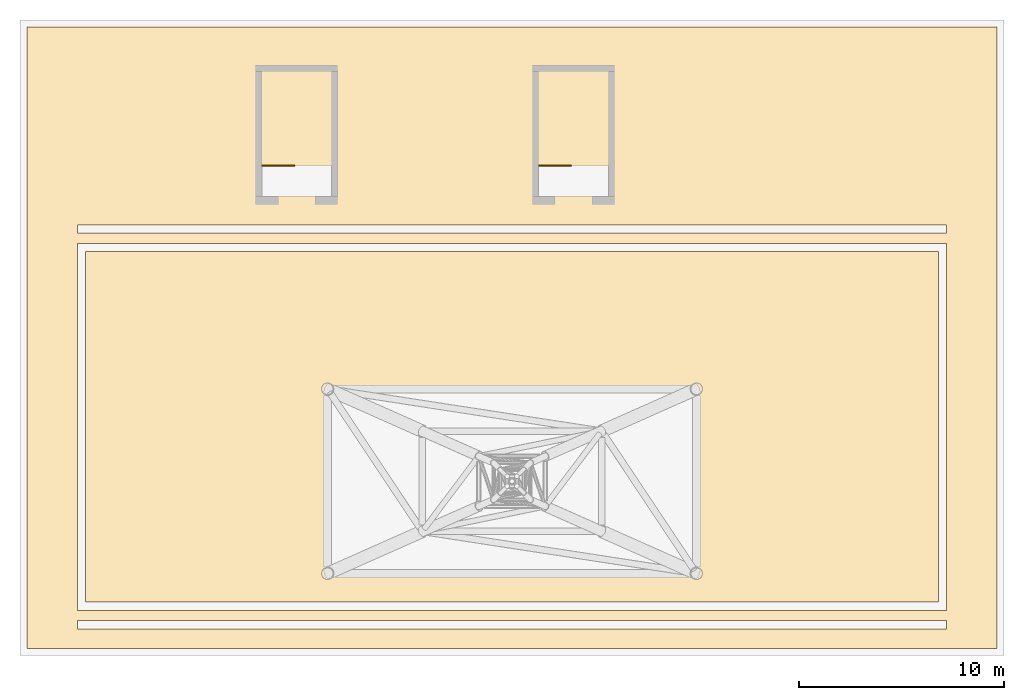
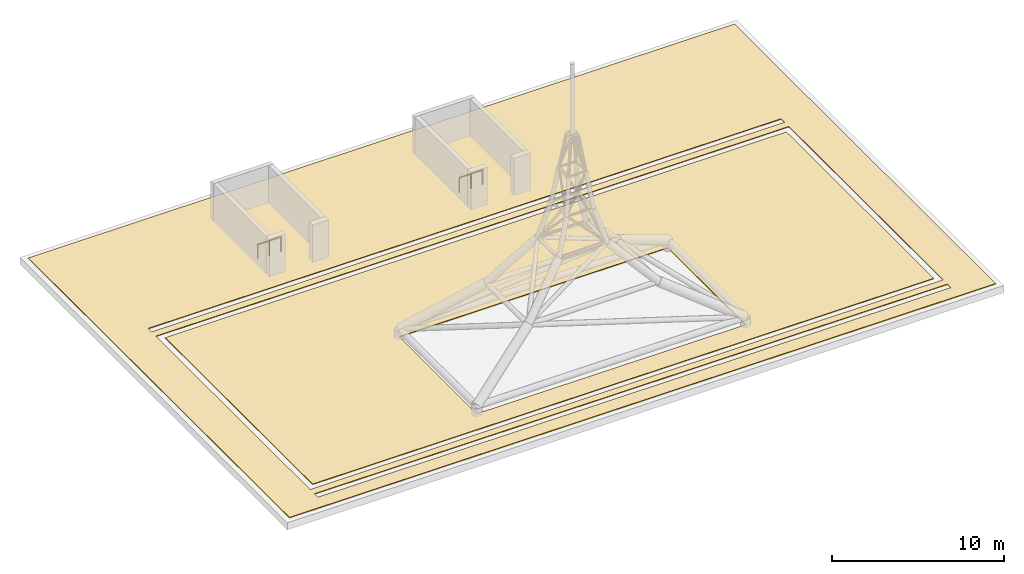
# One storey, part 4 of 4: 2 coverings, 2 railings.
"""IFC4 building model written with IfcOpenShell, lengths in metres."""

from ifc_helpers import new_model, si_unit, direction, frame, origin, origin_2d, place, context, subcontext, project, spatial, polyline, circle, outline, extrude, material, layer, layer_set, type_object, element, save


model = new_model("IFC4")

# Units and contexts
model_context = context("Model", 3, precision=1e-05, world=origin(), true_north=direction((0.0, 1.0)))
body_context = subcontext(model_context, "Body", "Model", "MODEL_VIEW")
ifc_project = project(units=[si_unit("LENGTHUNIT", "METRE"), si_unit("AREAUNIT", "SQUARE_METRE"), si_unit("VOLUMEUNIT", "CUBIC_METRE"), si_unit("PLANEANGLEUNIT", "RADIAN"), si_unit("MASSUNIT", "GRAM", prefix="KILO")], contexts=[model_context])

# Site, building, storey
site_placement = place(None, origin())
site = spatial("IfcSite", under=ifc_project, at=site_placement, CompositionType="ELEMENT")
building_placement = place(site_placement, origin())
building = spatial("IfcBuilding", under=site, at=building_placement, Name="Calvaro Tower", CompositionType="ELEMENT")
storey_placement = place(building_placement, frame((0.0, 0.0, 277.949951171875)))
storey = spatial("IfcBuildingStorey", under=building, at=storey_placement, Name="ROOF", CompositionType="ELEMENT", Elevation=277.949951171875)

# Coverings
ifc_material_1 = material(Name="Single ply membrane")
ifc_layer = layer(ifc_material_1, 0.050048828125)
ifc_layer_set = layer_set([ifc_layer], Name="Single ply membrane")
covering_type = type_object("IfcCoveringType", Name="Drum roofing 50", PredefinedType="ROOFING", material=ifc_layer_set)
covering_1_placement = place(storey_placement, origin())
element("IfcCovering", 1, at=covering_1_placement, inside=storey, type_object=covering_type, Name="Drum roofing", PredefinedType="ROOFING", context=body_context, shape_type="SweptSolid", body=[
    extrude(outline(polyline([(59.64990234375, 36.64990234375), (59.64990234375, 6.35009765625), (12.35009765625, 6.35009765625), (12.35009765625, 36.64990234375), (59.64990234375, 36.64990234375)]), holes=[polyline([(14.800048828125, 7.699951171875), (14.800048828125, 7.300048828125), (57.199951171875, 7.300048828125), (57.199951171875, 7.699951171875), (14.800048828125, 7.699951171875)]), polyline([(57.199951171875, 8.35009765625), (57.199951171875, 8.60009765625), (57.199951171875, 25.699951171875), (57.199951171875, 25.949951171875), (57.199951171875, 26.10009765625), (14.800048828125, 26.10009765625), (14.800048828125, 25.949951171875), (14.800048828125, 25.699951171875), (14.800048828125, 8.60009765625), (14.800048828125, 8.35009765625), (14.800048828125, 8.199951171875), (57.199951171875, 8.199951171875), (57.199951171875, 8.35009765625)]), polyline([(57.199951171875, 26.60009765625), (57.199951171875, 27.0), (14.800048828125, 27.0), (14.800048828125, 26.60009765625), (57.199951171875, 26.60009765625)])]), origin(), (0.0, 0.0, 1.0), 0.050048828125),
])
covering_2_placement = place(storey_placement, origin())
element("IfcCovering", 2, at=covering_2_placement, inside=storey, type_object=covering_type, Name="Drum roofing", PredefinedType="ROOFING", context=body_context, shape_type="SweptSolid", body=[
    extrude(outline(polyline([(15.199951171875, 8.60009765625), (15.199951171875, 25.699951171875), (56.800048828125, 25.699951171875), (56.800048828125, 8.60009765625), (15.199951171875, 8.60009765625)]), holes=[polyline([(27.0, 19.0), (27.0, 10.0), (45.0, 10.0), (45.0, 19.0), (27.0, 19.0)])]), origin(), (0.0, 0.0, 1.0), 0.050048828125),
])

# Railings
ifc_material_2 = material(Name="Stainless steel", Category="steel")
railing_type = type_object("IfcRailingType", Name="Stair top guard", PredefinedType="GUARDRAIL", material=ifc_material_2)
for number, where, name in (
    (3, (23.800048828125, 29.89990234375, 0.0), "Exit stair 2 head guard"),
    (4, (37.300048828125, 29.89990234375, 0.0), "Exit stair 3 head guard"),
):
    element("IfcRailing", number, at=place(storey_placement, frame(where)), inside=storey, type_object=railing_type, Name=name, PredefinedType="GUARDRAIL", context=body_context, shape_type="SweptSolid", body=[
        extrude(circle(Radius=0.02392578125, at=origin_2d()), frame((0.0, 0.0, 1.076171875), z_axis=(1.0, 0.0, 0.0), x_axis=(0.0, 1.0, 0.0)), (0.0, 0.0, 1.0), 1.599853515625),
        extrude(circle(Radius=0.02099609375, at=origin_2d()), frame((0.02099609375, 0.0, 0.0)), (0.0, 0.0, 1.0), 1.052001953125),
        extrude(circle(Radius=0.02099609375, at=origin_2d()), frame((0.7998046875, 0.0, 0.0)), (0.0, 0.0, 1.0), 1.052001953125),
        extrude(circle(Radius=0.02099609375, at=origin_2d()), frame((1.578857421875, 0.0, 0.0)), (0.0, 0.0, 1.0), 1.052001953125),
    ])

save(model, "model.ifc")
